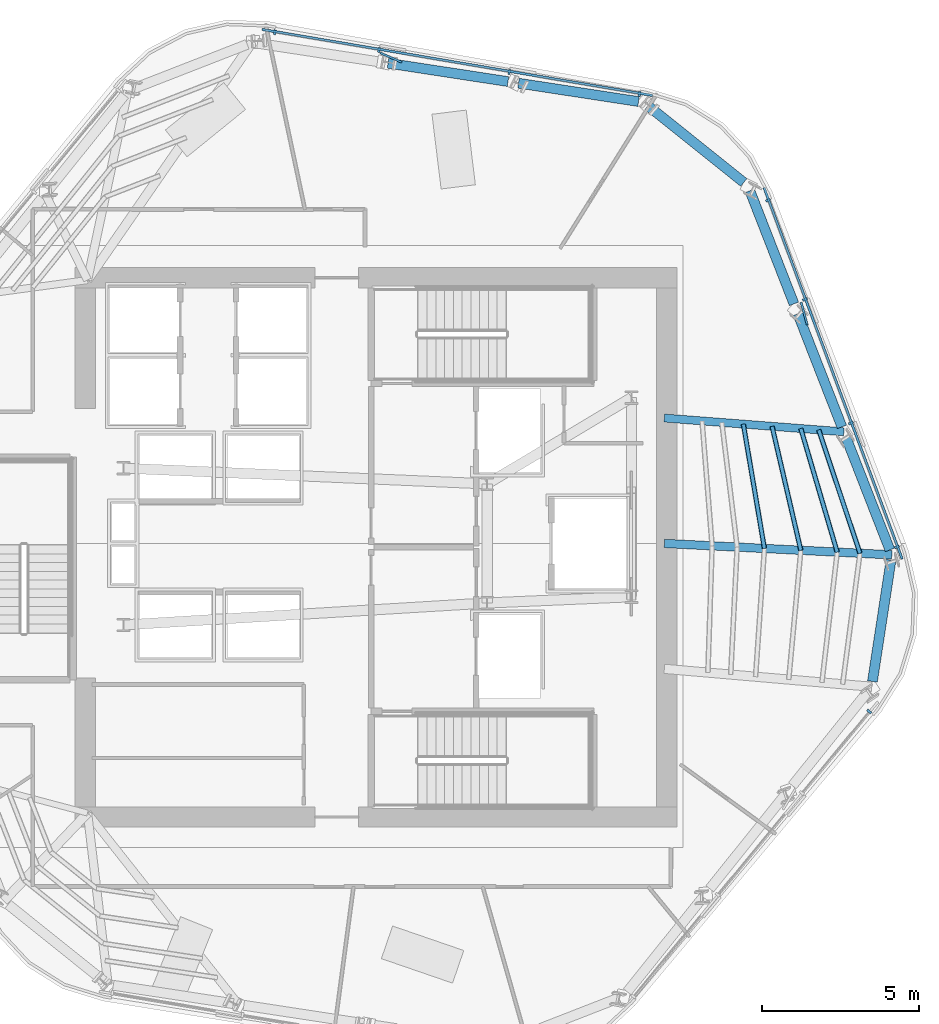
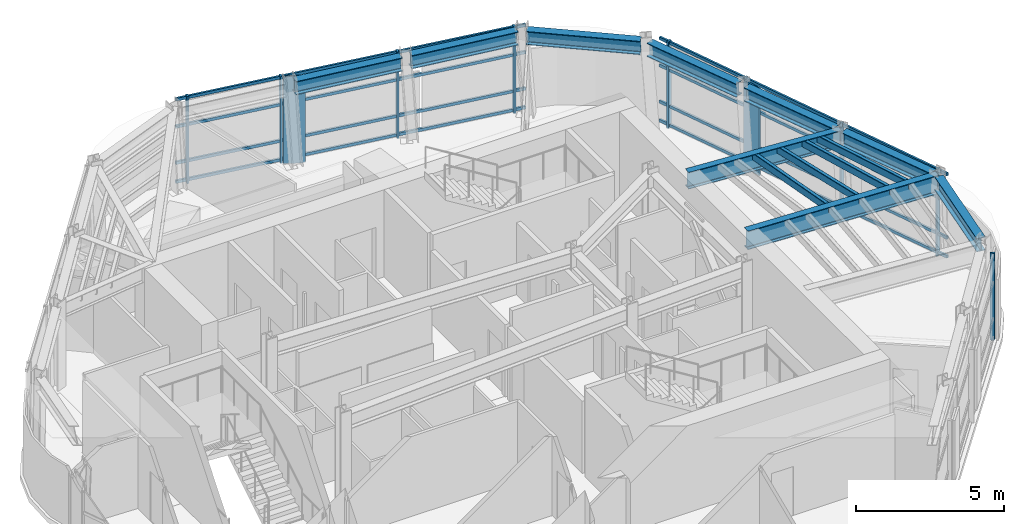
# One storey, part 4 of 12: 23 members, 9 beams, 3 elements without a shape of their own.
"""IFC4 building model written with IfcOpenShell, lengths in metres."""

from ifc_helpers import new_model, si_unit, direction, frame, origin, origin_2d, place, context, subcontext, project, spatial, rectangle, hollow_rectangle, i_section, extrude, material, layer, layer_set, material_profile, profile_set, type_object, element, aggregate, save


model = new_model("IFC4")

# Units and contexts
model_context = context("Model", 3, precision=1e-05, world=origin(), true_north=direction((0.0, 1.0)))
body_context = subcontext(model_context, "Body", "Model", "MODEL_VIEW")
ifc_project = project(units=[si_unit("LENGTHUNIT", "METRE"), si_unit("AREAUNIT", "SQUARE_METRE"), si_unit("VOLUMEUNIT", "CUBIC_METRE"), si_unit("PLANEANGLEUNIT", "RADIAN"), si_unit("MASSUNIT", "GRAM", prefix="KILO")], contexts=[model_context])

# Site, building, storey
site_placement = place(None, origin())
site = spatial("IfcSite", under=ifc_project, at=site_placement, CompositionType="ELEMENT")
building_placement = place(site_placement, origin())
building = spatial("IfcBuilding", under=site, at=building_placement, Name="Valkerne Bourse Tower", CompositionType="ELEMENT")
storey_placement = place(building_placement, frame((0.0, 0.0, 239.800048828125)))
storey = spatial("IfcBuildingStorey", under=building, at=storey_placement, Name="L61", CompositionType="ELEMENT", Elevation=239.800048828125)

# Beams
ifc_material_1 = material(Name="Steel ASTM A992", Category="steel")
ifc_material_profile_1 = material_profile(ifc_material_1, i_section(OverallWidth=0.31494140625, OverallDepth=0.5537109375, WebThickness=0.0166015625, FlangeThickness=0.026123046875, FilletRadius=0.020263671875, at=origin_2d()), Name="W21X132")
ifc_profile_set_1 = profile_set([ifc_material_profile_1], Name="Steel ASTM A992")
beam_type_1 = type_object("IfcBeamType", Name="BM-W21X132", PredefinedType="BEAM", material=ifc_profile_set_1)
beam_1_placement = place(storey_placement, frame((55.17626953125, 41.093994140625, 3.3232421875), z_axis=(-0.988494557299, 0.15125643851, 0.0), x_axis=(-0.15125643851, -0.988494557299, 0.0)))
element("IfcBeam", 1, at=beam_1_placement, inside=storey, type_object=beam_type_1, Name="L61 Hexagonal Spandrel Ring Beam 00", PredefinedType="BEAM", context=body_context, shape_type="SweptSolid", body=[
    extrude(i_section(OverallWidth=0.31494140625, OverallDepth=0.5537109375, WebThickness=0.0166015625, FlangeThickness=0.026123046875, FilletRadius=0.020263671875, at=origin_2d()), origin(), (0.0, 0.0, 1.0), 3.8720703125),
])
beam_2_placement = place(storey_placement, frame((51.0126953125, 41.73095703125, 3.3232421875), z_axis=(-0.988493114679, 0.151265866053, 0.0), x_axis=(-0.151265866053, -0.988493114679, 0.0)))
element("IfcBeam", 2, at=beam_2_placement, inside=storey, type_object=beam_type_1, Name="L61 Hexagonal Spandrel Ring Beam 01", PredefinedType="BEAM", context=body_context, shape_type="SweptSolid", body=[
    extrude(i_section(OverallWidth=0.31494140625, OverallDepth=0.5537109375, WebThickness=0.0166015625, FlangeThickness=0.026123046875, FilletRadius=0.020263671875, at=origin_2d()), origin(), (0.0, 0.0, 1.0), 3.871826171875),
])
beam_3_placement = place(storey_placement, frame((62.637451171875, 22.595947265625, 3.3232421875), z_axis=(0.151321565466, 0.988484589574, 0.0), x_axis=(-0.988484589574, 0.151321565466, 0.0)))
element("IfcBeam", 3, at=beam_3_placement, inside=storey, type_object=beam_type_1, Name="L61 Hexagonal Spandrel Ring Beam 19", PredefinedType="BEAM", context=body_context, shape_type="SweptSolid", body=[
    extrude(i_section(OverallWidth=0.31494140625, OverallDepth=0.5537109375, WebThickness=0.0166015625, FlangeThickness=0.026123046875, FilletRadius=0.020263671875, at=origin_2d()), origin(), (0.0, 0.0, 1.0), 3.915771484375),
])
for number, where, z_axis, x_axis, name in (
    (4, (63.19384765625, 26.79296875, 3.3232421875), (-0.36325551787, 0.931689555988, 0.0), (-0.931689555988, -0.36325551787, 0.0), "L61 Hexagonal Spandrel Ring Beam 20"),
    (5, (61.663818359375, 30.71728515625, 3.3232421875), (-0.36325551787, 0.931689555988, 0.0), (-0.931689555988, -0.36325551787, 0.0), "L61 Hexagonal Spandrel Ring Beam 21"),
    (6, (60.1337890625, 34.6416015625, 3.3232421875), (-0.36325551787, 0.931689555988, 0.0), (-0.931689555988, -0.36325551787, 0.0), "L61 Hexagonal Spandrel Ring Beam 22"),
):
    element("IfcBeam", number, at=place(storey_placement, frame(where, z_axis=z_axis, x_axis=x_axis)), inside=storey, type_object=beam_type_1, Name=name, PredefinedType="BEAM", context=body_context, shape_type="SweptSolid", body=[
        extrude(i_section(OverallWidth=0.31494140625, OverallDepth=0.5537109375, WebThickness=0.0166015625, FlangeThickness=0.026123046875, FilletRadius=0.020263671875, at=origin_2d()), origin(), (0.0, 0.0, 1.0), 3.871826171875),
    ])
beam_4_placement = place(storey_placement, frame((58.53271484375, 38.513671875, 3.3232421875), z_axis=(-0.780406273209, 0.625272779462, 0.0), x_axis=(-0.625272779462, -0.780406273209, 0.0)))
element("IfcBeam", 7, at=beam_4_placement, inside=storey, type_object=beam_type_1, Name="L61 Hexagonal Spandrel Ring Beam 23", PredefinedType="BEAM", context=body_context, shape_type="SweptSolid", body=[
    extrude(i_section(OverallWidth=0.31494140625, OverallDepth=0.5537109375, WebThickness=0.0166015625, FlangeThickness=0.026123046875, FilletRadius=0.020263671875, at=origin_2d()), origin(), (0.0, 0.0, 1.0), 3.91552734375),
])
ifc_material_profile_2 = material_profile(ifc_material_1, i_section(OverallWidth=0.255859375, OverallDepth=0.693359375, WebThickness=0.014404296875, FlangeThickness=0.023681640625, FilletRadius=0.02294921875, at=origin_2d()), Name="W27X114")
ifc_profile_set_2 = profile_set([ifc_material_profile_2], Name="Steel ASTM A992")
beam_type_2 = type_object("IfcBeamType", Name="BM-W27X114", PredefinedType="BEAM", material=ifc_profile_set_2)
beam_5_placement = place(storey_placement, frame((61.7255859375, 30.558837890625, 3.253173828125), z_axis=(-0.997044724165, 0.076823290831, 0.0), x_axis=(-0.076823290831, -0.997044724165, 0.0)))
element("IfcBeam", 8, at=beam_5_placement, inside=storey, type_object=beam_type_2, Name="L61 Radial Composite Floor Beam 21", PredefinedType="BEAM", context=body_context, shape_type="SweptSolid", body=[
    extrude(i_section(OverallWidth=0.255859375, OverallDepth=0.693359375, WebThickness=0.014404296875, FlangeThickness=0.023681640625, FilletRadius=0.02294921875, at=origin_2d()), origin(), (0.0, 0.0, 1.0), 5.74267578125),
])
ifc_material_profile_3 = material_profile(ifc_material_1, i_section(OverallWidth=0.26806640625, OverallDepth=0.76953125, WebThickness=0.015625, FlangeThickness=0.025390625, FilletRadius=0.025390625, at=origin_2d()), Name="W30X132")
ifc_profile_set_3 = profile_set([ifc_material_profile_3], Name="Steel ASTM A992")
beam_type_3 = type_object("IfcBeamType", Name="BM-W30X132", PredefinedType="BEAM", material=ifc_profile_set_3)
beam_6_placement = place(storey_placement, frame((63.255615234375, 26.634521484375, 3.215087890625), z_axis=(-0.998733749229, 0.050308032659, 0.0), x_axis=(-0.050308032659, -0.998733749229, 0.0)))
element("IfcBeam", 9, at=beam_6_placement, inside=storey, type_object=beam_type_3, Name="L61 Radial Composite Floor Beam 20", PredefinedType="BEAM", context=body_context, shape_type="SweptSolid", body=[
    extrude(i_section(OverallWidth=0.26806640625, OverallDepth=0.76953125, WebThickness=0.015625, FlangeThickness=0.025390625, FilletRadius=0.025390625, at=origin_2d()), origin(), (0.0, 0.0, 1.0), 7.264892578125),
])

# Curtain wall, members
ifc_material_2 = material(Name="Aluminium AA 6063-T6", Category="aluminium")
ifc_layer = layer(ifc_material_2, 0.239990234375)
ifc_layer_set = layer_set([ifc_layer], Name="Aluminium AA 6063-T6")
curtain_wall_type = type_object("IfcCurtainWallType", Name="CW-04", PredefinedType="NOTDEFINED", material=ifc_layer_set)
curtain_wall_1_placement = place(storey_placement, origin())
curtain_wall_1 = element("IfcCurtainWall", 10, at=curtain_wall_1_placement, inside=storey, type_object=curtain_wall_type, Name="L61 Hexagonal Stick Curtain Wall Face 1", PredefinedType="NOTDEFINED")
ifc_material_profile_4 = material_profile(ifc_material_2, rectangle(XDim=0.074951171875, YDim=0.159912109375, at=origin_2d()), Name="CWM-75X160")
ifc_profile_set_4 = profile_set([ifc_material_profile_4], Name="Aluminium AA 6063-T6")
member_type_1 = type_object("IfcMemberType", Name="CW-MUL-160X75", PredefinedType="MULLION", material=ifc_profile_set_4)
member_1_placement = place(storey_placement, frame((55.206787109375, 41.337646484375, 0.0), z_axis=(0.0, 0.0, 1.0), x_axis=(-0.985997105636, 0.166762428852, 0.0)))
member_1 = element("IfcMember", 11, at=member_1_placement, type_object=member_type_1, Name="CW-L61-F1 Jamb Mullion 00A", PredefinedType="MULLION", context=body_context, shape_type="SweptSolid", body=[
    extrude(rectangle(XDim=0.074951171875, YDim=0.159912109375, at=origin_2d()), origin(), (0.0, 0.0, 1.0), 3.599853515625),
])
member_2_placement = place(storey_placement, frame((51.0537109375, 42.0400390625, 0.0), z_axis=(0.0, 0.0, 1.0), x_axis=(-0.985997105636, 0.166762428852, 0.0)))
member_2 = element("IfcMember", 12, at=member_2_placement, type_object=member_type_1, Name="CW-L61-F1 Jamb Mullion 01A", PredefinedType="MULLION", context=body_context, shape_type="SweptSolid", body=[
    extrude(rectangle(XDim=0.074951171875, YDim=0.159912109375, at=origin_2d()), origin(), (0.0, 0.0, 1.0), 3.599853515625),
])
member_3_placement = place(storey_placement, frame((46.90087890625, 42.742431640625, 0.0), z_axis=(0.0, 0.0, 1.0), x_axis=(-0.985997105636, 0.166762428852, 0.0)))
member_3 = element("IfcMember", 13, at=member_3_placement, type_object=member_type_1, Name="CW-L61-F1 Jamb Mullion 02A", PredefinedType="MULLION", context=body_context, shape_type="SweptSolid", body=[
    extrude(rectangle(XDim=0.074951171875, YDim=0.159912109375, at=origin_2d()), origin(), (0.0, 0.0, 1.0), 3.599853515625),
])
member_4_placement = place(storey_placement, frame((43.575927734375, 43.3046875, 0.0), z_axis=(0.0, 0.0, 1.0), x_axis=(-0.985997105636, 0.166762428852, 0.0)))
member_4 = element("IfcMember", 14, at=member_4_placement, type_object=member_type_1, Name="CW-L61-F1 Jamb Mullion 02B", PredefinedType="MULLION", context=body_context, shape_type="SweptSolid", body=[
    extrude(rectangle(XDim=0.074951171875, YDim=0.159912109375, at=origin_2d()), origin(), (0.0, 0.0, 1.0), 3.599853515625),
])

# Curtain wall, member
curtain_wall_2_placement = place(storey_placement, origin())
curtain_wall_2 = element("IfcCurtainWall", 15, at=curtain_wall_2_placement, inside=storey, type_object=curtain_wall_type, Name="L61 Hexagonal Stick Curtain Wall Face 5", PredefinedType="NOTDEFINED")
member_5_placement = place(storey_placement, frame((62.5322265625, 21.639892578125, 0.0), z_axis=(0.0, 0.0, 1.0), x_axis=(0.637434085506, 0.770504890728, 0.0)))
member_5 = element("IfcMember", 16, at=member_5_placement, type_object=member_type_1, Name="CW-L61-F5 Jamb Mullion 02B", PredefinedType="MULLION", context=body_context, shape_type="SweptSolid", body=[
    extrude(rectangle(XDim=0.074951171875, YDim=0.159912109375, at=origin_2d()), origin(), (0.0, 0.0, 1.0), 3.599853515625),
])
aggregate(curtain_wall_2, [member_5])

# Curtain wall, members
curtain_wall_3_placement = place(storey_placement, origin())
curtain_wall_3 = element("IfcCurtainWall", 17, at=curtain_wall_3_placement, inside=storey, type_object=curtain_wall_type, Name="L61 Hexagonal Stick Curtain Wall Face 6", PredefinedType="NOTDEFINED")
member_6_placement = place(storey_placement, frame((63.420166015625, 26.88818359375, 0.0), z_axis=(0.0, 0.0, 1.0), x_axis=(-0.348577541207, 0.937279946316, 0.0)))
member_6 = element("IfcMember", 18, at=member_6_placement, type_object=member_type_1, Name="CW-L61-F6 Jamb Mullion 00A", PredefinedType="MULLION", context=body_context, shape_type="SweptSolid", body=[
    extrude(rectangle(XDim=0.074951171875, YDim=0.159912109375, at=origin_2d()), origin(), (0.0, 0.0, 1.0), 3.599853515625),
])
member_7_placement = place(storey_placement, frame((61.951904296875, 30.836181640625, 0.0), z_axis=(0.0, 0.0, 1.0), x_axis=(-0.348569784559, 0.937282831003, 0.0)))
member_7 = element("IfcMember", 19, at=member_7_placement, type_object=member_type_1, Name="CW-L61-F6 Jamb Mullion 01A", PredefinedType="MULLION", context=body_context, shape_type="SweptSolid", body=[
    extrude(rectangle(XDim=0.074951171875, YDim=0.159912109375, at=origin_2d()), origin(), (0.0, 0.0, 1.0), 3.599853515625),
])
member_8_placement = place(storey_placement, frame((60.483642578125, 34.783935546875, 0.0), z_axis=(0.0, 0.0, 1.0), x_axis=(-0.348577541207, 0.937279946316, 0.0)))
member_8 = element("IfcMember", 20, at=member_8_placement, type_object=member_type_1, Name="CW-L61-F6 Jamb Mullion 02A", PredefinedType="MULLION", context=body_context, shape_type="SweptSolid", body=[
    extrude(rectangle(XDim=0.074951171875, YDim=0.159912109375, at=origin_2d()), origin(), (0.0, 0.0, 1.0), 3.599853515625),
])
member_9_placement = place(storey_placement, frame((59.308349609375, 37.944580078125, 0.0), z_axis=(0.0, 0.0, 1.0), x_axis=(-0.348577541207, 0.937279946316, 0.0)))
member_9 = element("IfcMember", 21, at=member_9_placement, type_object=member_type_1, Name="CW-L61-F6 Jamb Mullion 02B", PredefinedType="MULLION", context=body_context, shape_type="SweptSolid", body=[
    extrude(rectangle(XDim=0.074951171875, YDim=0.159912109375, at=origin_2d()), origin(), (0.0, 0.0, 1.0), 3.599853515625),
])

# Member
ifc_material_profile_5 = material_profile(ifc_material_2, rectangle(XDim=0.074951171875, YDim=0.1201171875, at=origin_2d()), Name="CWT-75X120")
ifc_profile_set_5 = profile_set([ifc_material_profile_5], Name="Aluminium AA 6063-T6")
member_type_2 = type_object("IfcMemberType", Name="CW-TRN-120X75", PredefinedType="USERDEFINED", material=ifc_profile_set_5)
member_10_placement = place(storey_placement, frame((55.624267578125, 41.287353515625, 0.119873046875), z_axis=(-0.985997360984, 0.166760919083, 0.0), x_axis=(-0.166760919083, -0.985997360984, 0.0)))
member_10 = element("IfcMember", 22, at=member_10_placement, type_object=member_type_2, Name="CW-L61-F1 Continuous Face Transom 1", ObjectType="TRANSOM", PredefinedType="USERDEFINED", context=body_context, shape_type="SweptSolid", body=[
    extrude(rectangle(XDim=0.074951171875, YDim=0.1201171875, at=origin_2d()), origin(), (0.0, 0.0, 1.0), 12.635986328125),
])

member_11_placement = place(storey_placement, frame((55.624267578125, 41.287353515625, 0.89990234375), z_axis=(-0.985997360984, 0.166760919083, 0.0), x_axis=(-0.166760919083, -0.985997360984, 0.0)))
member_11 = element("IfcMember", 23, at=member_11_placement, type_object=member_type_2, Name="CW-L61-F1 Continuous Face Transom 2", ObjectType="TRANSOM", PredefinedType="USERDEFINED", context=body_context, shape_type="SweptSolid", body=[
    extrude(rectangle(XDim=0.074951171875, YDim=0.1201171875, at=origin_2d()), origin(), (0.0, 0.0, 1.0), 12.635986328125),
])

member_12_placement = place(storey_placement, frame((55.624267578125, 41.287353515625, 2.39990234375), z_axis=(-0.985997360984, 0.166760919083, 0.0), x_axis=(-0.166760919083, -0.985997360984, 0.0)))
member_12 = element("IfcMember", 24, at=member_12_placement, type_object=member_type_2, Name="CW-L61-F1 Continuous Face Transom 3", ObjectType="TRANSOM", PredefinedType="USERDEFINED", context=body_context, shape_type="SweptSolid", body=[
    extrude(rectangle(XDim=0.074951171875, YDim=0.1201171875, at=origin_2d()), origin(), (0.0, 0.0, 1.0), 12.635986328125),
])

member_13_placement = place(storey_placement, frame((55.624267578125, 41.287353515625, 3.52001953125), z_axis=(-0.985997360984, 0.166760919083, 0.0), x_axis=(-0.166760919083, -0.985997360984, 0.0)))
member_13 = element("IfcMember", 25, at=member_13_placement, type_object=member_type_2, Name="CW-L61-F1 Continuous Face Transom 4", ObjectType="TRANSOM", PredefinedType="USERDEFINED", context=body_context, shape_type="SweptSolid", body=[
    extrude(rectangle(XDim=0.074951171875, YDim=0.1201171875, at=origin_2d()), origin(), (0.0, 0.0, 1.0), 12.635986328125),
])

aggregate(curtain_wall_1, [member_10, member_11, member_12, member_13, member_1, member_2, member_3, member_4])

member_14_placement = place(storey_placement, frame((63.585205078125, 26.501708984375, 0.119873046875), z_axis=(-0.348570703339, 0.937282489313, 0.0), x_axis=(-0.937282489313, -0.348570703339, 0.0)))
member_14 = element("IfcMember", 26, at=member_14_placement, type_object=member_type_2, Name="CW-L61-F6 Continuous Face Transom 1", ObjectType="TRANSOM", PredefinedType="USERDEFINED", context=body_context, shape_type="SweptSolid", body=[
    extrude(rectangle(XDim=0.074951171875, YDim=0.1201171875, at=origin_2d()), origin(), (0.0, 0.0, 1.0), 12.635986328125),
])

member_15_placement = place(storey_placement, frame((63.585205078125, 26.501708984375, 0.89990234375), z_axis=(-0.348570703339, 0.937282489313, 0.0), x_axis=(-0.937282489313, -0.348570703339, 0.0)))
member_15 = element("IfcMember", 27, at=member_15_placement, type_object=member_type_2, Name="CW-L61-F6 Continuous Face Transom 2", ObjectType="TRANSOM", PredefinedType="USERDEFINED", context=body_context, shape_type="SweptSolid", body=[
    extrude(rectangle(XDim=0.074951171875, YDim=0.1201171875, at=origin_2d()), origin(), (0.0, 0.0, 1.0), 12.635986328125),
])

member_16_placement = place(storey_placement, frame((63.585205078125, 26.501708984375, 2.39990234375), z_axis=(-0.348570703339, 0.937282489313, 0.0), x_axis=(-0.937282489313, -0.348570703339, 0.0)))
member_16 = element("IfcMember", 28, at=member_16_placement, type_object=member_type_2, Name="CW-L61-F6 Continuous Face Transom 3", ObjectType="TRANSOM", PredefinedType="USERDEFINED", context=body_context, shape_type="SweptSolid", body=[
    extrude(rectangle(XDim=0.074951171875, YDim=0.1201171875, at=origin_2d()), origin(), (0.0, 0.0, 1.0), 12.635986328125),
])

member_17_placement = place(storey_placement, frame((63.585205078125, 26.501708984375, 3.52001953125), z_axis=(-0.348570703339, 0.937282489313, 0.0), x_axis=(-0.937282489313, -0.348570703339, 0.0)))
member_17 = element("IfcMember", 29, at=member_17_placement, type_object=member_type_2, Name="CW-L61-F6 Continuous Face Transom 4", ObjectType="TRANSOM", PredefinedType="USERDEFINED", context=body_context, shape_type="SweptSolid", body=[
    extrude(rectangle(XDim=0.074951171875, YDim=0.1201171875, at=origin_2d()), origin(), (0.0, 0.0, 1.0), 12.635986328125),
])

aggregate(curtain_wall_3, [member_14, member_15, member_16, member_17, member_6, member_7, member_8, member_9])

# Members
ifc_material_3 = material(Name="Bronze Anodised Aluminium AA 6063-T6", Category="aluminium")
ifc_material_profile_6 = material_profile(ifc_material_3, rectangle(XDim=0.06494140625, YDim=0.75, at=origin_2d()), Name="FIN-65X750")
ifc_profile_set_6 = profile_set([ifc_material_profile_6], Name="Bronze Anodised Aluminium AA 6063-T6")
member_type_3 = type_object("IfcMemberType", Name="FIN-SOLAR-650", PredefinedType="USERDEFINED", material=ifc_profile_set_6)
for number, where, z_axis, x_axis, name in (
    (30, (47.284912109375, 42.494873046875, 0.00390625), (0.0, 0.0, 1.0), (0.398108370353, 0.91733839201, 0.0), "L61 Bronze Anodised Solar Fin F1-02"),
    (31, (60.46142578125, 34.32763671875, 0.00390625), (0.0, 0.0, 1.0), (0.96511512839, 0.261825875253, 0.0), "L61 Bronze Anodised Solar Fin F6-02"),
):
    element("IfcMember", number, at=place(storey_placement, frame(where, z_axis=z_axis, x_axis=x_axis)), inside=storey, type_object=member_type_3, Name=name, ObjectType="SOLAR_FIN", PredefinedType="USERDEFINED", context=body_context, shape_type="SweptSolid", body=[
        extrude(rectangle(XDim=0.06494140625, YDim=0.75, at=origin_2d()), origin(), (0.0, 0.0, 1.0), 3.592041015625),
    ])
ifc_material_4 = material(Name="Steel ASTM A500 Grade C", Category="steel")
ifc_material_profile_7 = material_profile(ifc_material_4, hollow_rectangle(XDim=0.14990234375, YDim=0.300048828125, WallThickness=0.012451171875, OuterFilletRadius=0.02490234375, at=origin_2d()), Name="HSS300X150X12.5")
ifc_profile_set_7 = profile_set([ifc_material_profile_7], Name="Steel ASTM A500 Grade C")
member_type_4 = type_object("IfcMemberType", Name="MBR-HSS300X150X12.5", PredefinedType="PURLIN", material=ifc_profile_set_7)
member_18_placement = place(storey_placement, frame((59.1923828125, 26.839111328125, 3.43994140625), z_axis=(-0.167291178343, 0.985907531997, 0.0), x_axis=(-0.985907531997, -0.167291178343, 0.0)))
element("IfcMember", 32, at=member_18_placement, inside=storey, type_object=member_type_4, Name="L61 Secondary Composite Floor Purlin K-20", PredefinedType="PURLIN", context=body_context, shape_type="SweptSolid", body=[
    extrude(hollow_rectangle(XDim=0.14990234375, YDim=0.300048828125, WallThickness=0.012451171875, OuterFilletRadius=0.02490234375, at=origin_2d()), origin(), (0.0, 0.0, 1.0), 4.0234375),
])
member_19_placement = place(storey_placement, frame((61.514404296875, 26.72216796875, 3.43994140625), z_axis=(-0.282947605952, 0.959135367029, 0.0), x_axis=(-0.959135367029, -0.282947605952, 0.0)))
element("IfcMember", 33, at=member_19_placement, inside=storey, type_object=member_type_4, Name="L61 Secondary Composite Floor Purlin O-20", PredefinedType="PURLIN", context=body_context, shape_type="SweptSolid", body=[
    extrude(hollow_rectangle(XDim=0.14990234375, YDim=0.300048828125, WallThickness=0.012451171875, OuterFilletRadius=0.02490234375, at=origin_2d()), origin(), (0.0, 0.0, 1.0), 4.110595703125),
])
member_20_placement = place(storey_placement, frame((60.353515625, 26.78076171875, 3.43994140625), z_axis=(-0.226172502897, 0.974087264537, 0.0), x_axis=(-0.974087264537, -0.226172502897, 0.0)))
element("IfcMember", 34, at=member_20_placement, inside=storey, type_object=member_type_4, Name="L61 Secondary Composite Floor Purlin Z-20", PredefinedType="PURLIN", context=body_context, shape_type="SweptSolid", body=[
    extrude(hollow_rectangle(XDim=0.14990234375, YDim=0.300048828125, WallThickness=0.012451171875, OuterFilletRadius=0.02490234375, at=origin_2d()), origin(), (0.0, 0.0, 1.0), 4.059814453125),
])
member_21_placement = place(storey_placement, frame((62.23974609375, 26.685791015625, 3.43994140625), z_axis=(-0.317163214294, 0.948370969346, 0.0), x_axis=(-0.948370969346, -0.317163214294, 0.0)))
element("IfcMember", 35, at=member_21_placement, inside=storey, type_object=member_type_4, Name="L61 Secondary Composite Floor Purlin T-20", PredefinedType="PURLIN", context=body_context, shape_type="SweptSolid", body=[
    extrude(hollow_rectangle(XDim=0.14990234375, YDim=0.300048828125, WallThickness=0.012451171875, OuterFilletRadius=0.02490234375, at=origin_2d()), origin(), (0.0, 0.0, 1.0), 4.14892578125),
])

save(model, "model.ifc")
